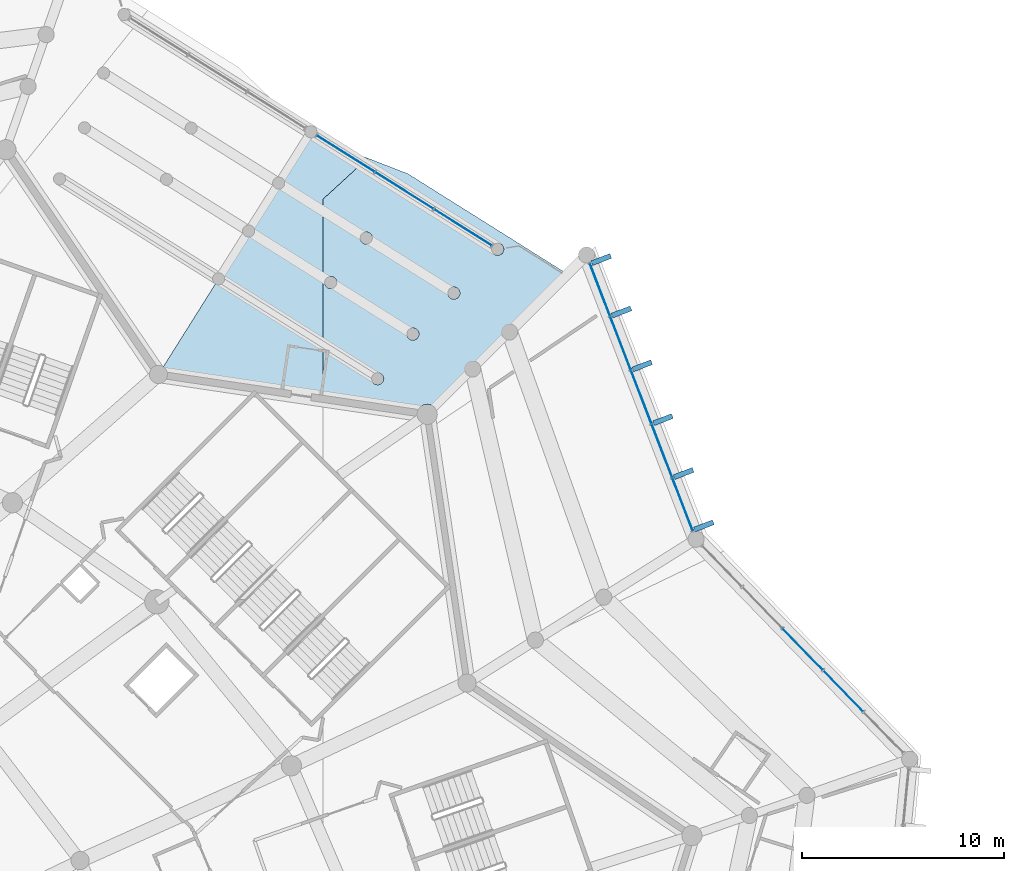
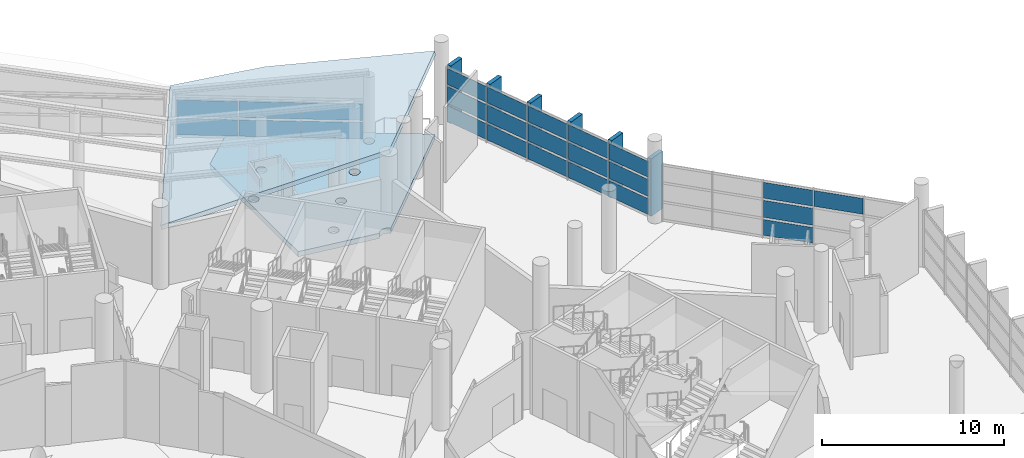
# One storey, part 156 of 271: 31 plates, 2 slabs, 3 elements without a shape of their own.
"""IFC4 building model written with IfcOpenShell, lengths in metres."""

from ifc_helpers import new_model, si_unit, direction, frame, origin, origin_2d, place, context, subcontext, project, spatial, polyline, rectangle, outline, extrude, material, layer, layer_set, type_object, element, aggregate, save


model = new_model("IFC4")

# Units and contexts
model_context = context("Model", 3, precision=1e-05, world=origin(), true_north=direction((0.0, 1.0)))
body_context = subcontext(model_context, "Body", "Model", "MODEL_VIEW")
ifc_project = project(units=[si_unit("LENGTHUNIT", "METRE"), si_unit("AREAUNIT", "SQUARE_METRE"), si_unit("VOLUMEUNIT", "CUBIC_METRE"), si_unit("PLANEANGLEUNIT", "RADIAN"), si_unit("MASSUNIT", "GRAM", prefix="KILO")], contexts=[model_context])

# Site, building, storey
site_placement = place(None, origin())
site = spatial("IfcSite", under=ifc_project, at=site_placement, CompositionType="ELEMENT")
building_placement = place(site_placement, origin())
building = spatial("IfcBuilding", under=site, at=building_placement, Name="Meseta Stadium", CompositionType="ELEMENT")
storey_placement = place(building_placement, frame((0.0, 0.0, 6.5)))
storey = spatial("IfcBuildingStorey", under=building, at=storey_placement, Name="L01", CompositionType="ELEMENT", Elevation=6.5)

# Slabs
ifc_material_1 = material(Name="Concrete C40/50", Category="concrete")
ifc_layer_1 = layer(ifc_material_1, 0.35009765625)
ifc_layer_set_1 = layer_set([ifc_layer_1], Name="Floor slab 350")
slab_type_1 = type_object("IfcSlabType", Name="Floor slab 350", PredefinedType="FLOOR", material=ifc_layer_set_1)
slab_1_placement = place(storey_placement, frame((0.0, 0.0, -0.35009765625)))
element("IfcSlab", 1, at=slab_1_placement, inside=storey, type_object=slab_type_1, Name="Gate hall floor slab 2 part 2 panel 02", PredefinedType="FLOOR", context=body_context, shape_type="SweptSolid", body=[
    extrude(outline(polyline([(85.42578125, 89.610595703125), (85.5302734375, 89.5302734375), (92.12841796875, 96.12841796875), (84.220458984375, 101.09765625), (82.230224609375, 101.869873046875), (80.0, 99.828369140625), (80.0, 90.123779296875), (84.73486328125, 89.4208984375), (84.737060546875, 89.42578125), (84.817138671875, 89.5302734375), (84.921630859375, 89.610595703125), (85.043212890625, 89.660888671875), (85.173583984375, 89.677978515625), (85.30419921875, 89.660888671875), (85.42578125, 89.610595703125)]), holes=[polyline([(81.8623046875, 97.986083984375), (81.892578125, 98.05908203125), (81.940673828125, 98.12158203125), (82.003173828125, 98.169921875), (82.076171875, 98.199951171875), (82.154541015625, 98.210205078125), (82.23291015625, 98.199951171875), (82.305908203125, 98.169921875), (82.368408203125, 98.12158203125), (82.41650390625, 98.05908203125), (82.44677734375, 97.986083984375), (82.45703125, 97.90771484375), (82.44677734375, 97.829345703125), (82.41650390625, 97.75634765625), (82.368408203125, 97.69384765625), (82.305908203125, 97.645751953125), (82.23291015625, 97.615478515625), (82.154541015625, 97.60498046875), (82.076171875, 97.615478515625), (82.003173828125, 97.645751953125), (81.940673828125, 97.69384765625), (81.892578125, 97.75634765625), (81.8623046875, 97.829345703125), (81.85205078125, 97.90771484375), (81.8623046875, 97.986083984375)]), polyline([(80.180419921875, 95.9208984375), (80.242919921875, 95.968994140625), (80.31591796875, 95.999267578125), (80.394287109375, 96.009521484375), (80.47265625, 95.999267578125), (80.545654296875, 95.968994140625), (80.608154296875, 95.9208984375), (80.65625, 95.858154296875), (80.6865234375, 95.78515625), (80.697021484375, 95.706787109375), (80.6865234375, 95.628662109375), (80.65625, 95.5556640625), (80.608154296875, 95.492919921875), (80.545654296875, 95.44482421875), (80.47265625, 95.41455078125), (80.394287109375, 95.404296875), (80.31591796875, 95.41455078125), (80.242919921875, 95.44482421875), (80.180419921875, 95.492919921875), (80.132080078125, 95.5556640625), (80.10205078125, 95.628662109375), (80.091796875, 95.706787109375), (80.10205078125, 95.78515625), (80.132080078125, 95.858154296875), (80.180419921875, 95.9208984375)]), polyline([(82.505615234375, 90.72509765625), (82.45751953125, 90.78759765625), (82.42724609375, 90.860595703125), (82.4169921875, 90.93896484375), (82.42724609375, 91.017333984375), (82.45751953125, 91.09033203125), (82.505615234375, 91.153076171875), (82.568115234375, 91.201171875), (82.64111328125, 91.231201171875), (82.719482421875, 91.24169921875), (82.7978515625, 91.231201171875), (82.870849609375, 91.201171875), (82.933349609375, 91.153076171875), (82.9814453125, 91.09033203125), (83.01171875, 91.017333984375), (83.022216796875, 90.93896484375), (83.01171875, 90.860595703125), (82.9814453125, 90.78759765625), (82.933349609375, 90.72509765625), (82.870849609375, 90.677001953125), (82.7978515625, 90.646728515625), (82.719482421875, 90.636474609375), (82.64111328125, 90.646728515625), (82.568115234375, 90.677001953125), (82.505615234375, 90.72509765625)]), polyline([(84.3115234375, 92.888427734375), (84.248779296875, 92.9365234375), (84.20068359375, 92.999267578125), (84.17041015625, 93.072265625), (84.16015625, 93.150390625), (84.17041015625, 93.228759765625), (84.20068359375, 93.3017578125), (84.248779296875, 93.364501953125), (84.3115234375, 93.41259765625), (84.384521484375, 93.44287109375), (84.462646484375, 93.453125), (84.541015625, 93.44287109375), (84.614013671875, 93.41259765625), (84.6767578125, 93.364501953125), (84.724853515625, 93.3017578125), (84.7548828125, 93.228759765625), (84.765380859375, 93.150390625), (84.7548828125, 93.072265625), (84.724853515625, 92.999267578125), (84.6767578125, 92.9365234375), (84.614013671875, 92.888427734375), (84.541015625, 92.858154296875), (84.462646484375, 92.847900390625), (84.384521484375, 92.858154296875), (84.3115234375, 92.888427734375)]), polyline([(86.279541015625, 94.96728515625), (86.2314453125, 95.030029296875), (86.201416015625, 95.10302734375), (86.19091796875, 95.181396484375), (86.201416015625, 95.259521484375), (86.2314453125, 95.33251953125), (86.279541015625, 95.395263671875), (86.34228515625, 95.443359375), (86.415283203125, 95.4736328125), (86.49365234375, 95.48388671875), (86.572021484375, 95.4736328125), (86.64501953125, 95.443359375), (86.70751953125, 95.395263671875), (86.755615234375, 95.33251953125), (86.785888671875, 95.259521484375), (86.796142578125, 95.181396484375), (86.785888671875, 95.10302734375), (86.755615234375, 95.030029296875), (86.70751953125, 94.96728515625), (86.64501953125, 94.919189453125), (86.572021484375, 94.88916015625), (86.49365234375, 94.878662109375), (86.415283203125, 94.88916015625), (86.34228515625, 94.919189453125), (86.279541015625, 94.96728515625)]), polyline([(88.407470703125, 97.205810546875), (88.377197265625, 97.27880859375), (88.36669921875, 97.357177734375), (88.377197265625, 97.435546875), (88.407470703125, 97.508544921875), (88.45556640625, 97.5712890625), (88.51806640625, 97.619384765625), (88.591064453125, 97.6494140625), (88.66943359375, 97.659912109375), (88.747802734375, 97.6494140625), (88.82080078125, 97.619384765625), (88.88330078125, 97.5712890625), (88.931396484375, 97.508544921875), (88.961669921875, 97.435546875), (88.971923828125, 97.357177734375), (88.961669921875, 97.27880859375), (88.931396484375, 97.205810546875), (88.88330078125, 97.143310546875), (88.82080078125, 97.09521484375), (88.747802734375, 97.06494140625), (88.66943359375, 97.0546875), (88.591064453125, 97.06494140625), (88.51806640625, 97.09521484375), (88.45556640625, 97.143310546875), (88.407470703125, 97.205810546875)])]), origin(), (0.0, 0.0, 1.0), 0.35009765625),
])
ifc_material_2 = material(Name="Concrete C40/50", Category="concrete")
ifc_layer_2 = layer(ifc_material_2, 0.300048828125)
ifc_layer_set_2 = layer_set([ifc_layer_2], Name="Gate roof plate 300")
slab_type_2 = type_object("IfcSlabType", Name="Gate roof plate 300", PredefinedType="ROOF", material=ifc_layer_set_2)
slab_2_placement = place(storey_placement, frame((79.30517578125, 103.0048828125, 3.566650390625), z_axis=(-0.106827842606, 0.090517582517, 0.990148665252), x_axis=(-0.531930741371, -0.846551648501, 0.019999820104)))
element("IfcSlab", 2, at=slab_2_placement, inside=storey, type_object=slab_type_2, Name="Gate 2 butterfly roof wing", PredefinedType="ROOF", context=body_context, shape_type="SweptSolid", body=[
    extrude(outline(polyline([(0.0, 0.0), (13.806297728618766, 6.800116025829084e-16), (8.406571376629177, 12.498249387960426), (-0.9595502955989375, 14.65774707481892), (-0.9859327776136914, 5.227036017428571), (0.0, 0.0)])), origin(), (0.0, 0.0, -1.0), 0.300048828125),
])

# Curtain wall, plates
ifc_material_3 = material(Name="Aluminium", Category="aluminium")
ifc_layer_3 = layer(ifc_material_3, 0.199951171875)
ifc_layer_set_3 = layer_set([ifc_layer_3], Name="Ring shopfront curtain wall")
curtain_wall_type_1 = type_object("IfcCurtainWallType", Name="Ring shopfront curtain wall", PredefinedType="NOTDEFINED", material=ifc_layer_set_3)
curtain_wall_1_placement = place(storey_placement, origin())
curtain_wall_1 = element("IfcCurtainWall", 3, at=curtain_wall_1_placement, inside=storey, type_object=curtain_wall_type_1, Name="Ring glazing L01 F10", PredefinedType="NOTDEFINED")
ifc_material_4 = material(Name="Glass", Category="glass")
ifc_layer_4 = layer(ifc_material_4, 0.035888671875)
ifc_layer_set_4 = layer_set([ifc_layer_4], Name="Ring CW glass panel 36")
plate_type_1 = type_object("IfcPlateType", Name="Ring CW glass panel 36", PredefinedType="CURTAIN_PANEL", material=ifc_layer_set_4)
plate_1_placement = place(storey_placement, frame((105.79833984375, 75.463134765625, 2.6416015625), z_axis=(0.0, 0.0, 1.0), x_axis=(-0.6964727488, 0.717583242683, 0.0)))
plate_1 = element("IfcPlate", 4, at=plate_1_placement, type_object=plate_type_1, Name="CWR1 panel 2.3", PredefinedType="CURTAIN_PANEL", context=body_context, shape_type="SweptSolid", body=[
    extrude(rectangle(XDim=2.821044921875, YDim=0.035888671875, at=origin_2d()), origin(), (0.0, 0.0, 1.0), 1.058349609375),
])
plate_2_placement = place(storey_placement, frame((103.7919921875, 77.530517578125, 0.14990234375), z_axis=(0.0, 0.0, 1.0), x_axis=(-0.6964727488, 0.717583242683, 0.0)))
plate_2 = element("IfcPlate", 5, at=plate_2_placement, type_object=plate_type_1, Name="CWR1 panel 3.1", PredefinedType="CURTAIN_PANEL", context=body_context, shape_type="SweptSolid", body=[
    extrude(rectangle(XDim=2.821044921875, YDim=0.035888671875, at=origin_2d()), origin(), (0.0, 0.0, 1.0), 1.058349609375),
])
plate_3_placement = place(storey_placement, frame((103.7919921875, 77.530517578125, 1.3583984375), z_axis=(0.0, 0.0, 1.0), x_axis=(-0.6964727488, 0.717583242683, 0.0)))
plate_3 = element("IfcPlate", 6, at=plate_3_placement, type_object=plate_type_1, Name="CWR1 panel 3.2", PredefinedType="CURTAIN_PANEL", context=body_context, shape_type="SweptSolid", body=[
    extrude(rectangle(XDim=2.821044921875, YDim=0.035888671875, at=origin_2d()), origin(), (0.0, 0.0, 1.0), 1.13330078125),
])
plate_4_placement = place(storey_placement, frame((103.7919921875, 77.530517578125, 2.6416015625), z_axis=(0.0, 0.0, 1.0), x_axis=(-0.6964727488, 0.717583242683, 0.0)))
plate_4 = element("IfcPlate", 7, at=plate_4_placement, type_object=plate_type_1, Name="CWR1 panel 3.3", PredefinedType="CURTAIN_PANEL", context=body_context, shape_type="SweptSolid", body=[
    extrude(rectangle(XDim=2.821044921875, YDim=0.035888671875, at=origin_2d()), origin(), (0.0, 0.0, 1.0), 1.058349609375),
])
aggregate(curtain_wall_1, [plate_1, plate_2, plate_3, plate_4])

curtain_wall_2_placement = place(storey_placement, origin())
curtain_wall_2 = element("IfcCurtainWall", 8, at=curtain_wall_2_placement, inside=storey, type_object=curtain_wall_type_1, Name="Ring glazing L01 F11", PredefinedType="NOTDEFINED")
plate_5_placement = place(storey_placement, frame((97.834228515625, 84.707275390625, 0.14990234375), z_axis=(0.0, 0.0, 1.0), x_axis=(-0.359302033734, 0.933221328815, 0.0)))
plate_5 = element("IfcPlate", 9, at=plate_5_placement, type_object=plate_type_1, Name="CWR1 panel 1.1", PredefinedType="CURTAIN_PANEL", context=body_context, shape_type="SweptSolid", body=[
    extrude(rectangle(XDim=2.76904296875, YDim=0.035888671875, at=origin_2d()), origin(), (0.0, 0.0, 1.0), 1.058349609375),
])
plate_6_placement = place(storey_placement, frame((97.834228515625, 84.707275390625, 1.3583984375), z_axis=(0.0, 0.0, 1.0), x_axis=(-0.359302033734, 0.933221328815, 0.0)))
plate_6 = element("IfcPlate", 10, at=plate_6_placement, type_object=plate_type_1, Name="CWR1 panel 1.2", PredefinedType="CURTAIN_PANEL", context=body_context, shape_type="SweptSolid", body=[
    extrude(rectangle(XDim=2.76904296875, YDim=0.035888671875, at=origin_2d()), origin(), (0.0, 0.0, 1.0), 1.13330078125),
])
plate_7_placement = place(storey_placement, frame((97.834228515625, 84.707275390625, 2.6416015625), z_axis=(0.0, 0.0, 1.0), x_axis=(-0.359302033734, 0.933221328815, 0.0)))
plate_7 = element("IfcPlate", 11, at=plate_7_placement, type_object=plate_type_1, Name="CWR1 panel 1.3", PredefinedType="CURTAIN_PANEL", context=body_context, shape_type="SweptSolid", body=[
    extrude(rectangle(XDim=2.76904296875, YDim=0.035888671875, at=origin_2d()), origin(), (0.0, 0.0, 1.0), 1.058349609375),
])
plate_8_placement = place(storey_placement, frame((96.812255859375, 87.361572265625, 0.14990234375), z_axis=(0.0, 0.0, 1.0), x_axis=(-0.359302033734, 0.933221328815, 0.0)))
plate_8 = element("IfcPlate", 12, at=plate_8_placement, type_object=plate_type_1, Name="CWR1 panel 2.1", PredefinedType="CURTAIN_PANEL", context=body_context, shape_type="SweptSolid", body=[
    extrude(rectangle(XDim=2.799072265625, YDim=0.035888671875, at=origin_2d()), origin(), (0.0, 0.0, 1.0), 1.058349609375),
])
plate_9_placement = place(storey_placement, frame((96.812255859375, 87.361572265625, 1.3583984375), z_axis=(0.0, 0.0, 1.0), x_axis=(-0.359302033734, 0.933221328815, 0.0)))
plate_9 = element("IfcPlate", 13, at=plate_9_placement, type_object=plate_type_1, Name="CWR1 panel 2.2", PredefinedType="CURTAIN_PANEL", context=body_context, shape_type="SweptSolid", body=[
    extrude(rectangle(XDim=2.799072265625, YDim=0.035888671875, at=origin_2d()), origin(), (0.0, 0.0, 1.0), 1.13330078125),
])
plate_10_placement = place(storey_placement, frame((96.812255859375, 87.361572265625, 2.6416015625), z_axis=(0.0, 0.0, 1.0), x_axis=(-0.359302033734, 0.933221328815, 0.0)))
plate_10 = element("IfcPlate", 14, at=plate_10_placement, type_object=plate_type_1, Name="CWR1 panel 2.3", PredefinedType="CURTAIN_PANEL", context=body_context, shape_type="SweptSolid", body=[
    extrude(rectangle(XDim=2.799072265625, YDim=0.035888671875, at=origin_2d()), origin(), (0.0, 0.0, 1.0), 1.058349609375),
])
plate_11_placement = place(storey_placement, frame((95.78515625, 90.029541015625, 0.14990234375), z_axis=(0.0, 0.0, 1.0), x_axis=(-0.359302033734, 0.933221328815, 0.0)))
plate_11 = element("IfcPlate", 15, at=plate_11_placement, type_object=plate_type_1, Name="CWR1 panel 3.1", PredefinedType="CURTAIN_PANEL", context=body_context, shape_type="SweptSolid", body=[
    extrude(rectangle(XDim=2.799072265625, YDim=0.035888671875, at=origin_2d()), origin(), (0.0, 0.0, 1.0), 1.058349609375),
])
plate_12_placement = place(storey_placement, frame((95.78515625, 90.029541015625, 1.3583984375), z_axis=(0.0, 0.0, 1.0), x_axis=(-0.359302033734, 0.933221328815, 0.0)))
plate_12 = element("IfcPlate", 16, at=plate_12_placement, type_object=plate_type_1, Name="CWR1 panel 3.2", PredefinedType="CURTAIN_PANEL", context=body_context, shape_type="SweptSolid", body=[
    extrude(rectangle(XDim=2.799072265625, YDim=0.035888671875, at=origin_2d()), origin(), (0.0, 0.0, 1.0), 1.13330078125),
])
plate_13_placement = place(storey_placement, frame((95.78515625, 90.029541015625, 2.6416015625), z_axis=(0.0, 0.0, 1.0), x_axis=(-0.359302033734, 0.933221328815, 0.0)))
plate_13 = element("IfcPlate", 17, at=plate_13_placement, type_object=plate_type_1, Name="CWR1 panel 3.3", PredefinedType="CURTAIN_PANEL", context=body_context, shape_type="SweptSolid", body=[
    extrude(rectangle(XDim=2.799072265625, YDim=0.035888671875, at=origin_2d()), origin(), (0.0, 0.0, 1.0), 1.058349609375),
])
plate_14_placement = place(storey_placement, frame((94.7578125, 92.69775390625, 0.14990234375), z_axis=(0.0, 0.0, 1.0), x_axis=(-0.359302033734, 0.933221328815, 0.0)))
plate_14 = element("IfcPlate", 18, at=plate_14_placement, type_object=plate_type_1, Name="CWR1 panel 4.1", PredefinedType="CURTAIN_PANEL", context=body_context, shape_type="SweptSolid", body=[
    extrude(rectangle(XDim=2.799072265625, YDim=0.035888671875, at=origin_2d()), origin(), (0.0, 0.0, 1.0), 1.058349609375),
])
plate_15_placement = place(storey_placement, frame((94.7578125, 92.69775390625, 1.3583984375), z_axis=(0.0, 0.0, 1.0), x_axis=(-0.359302033734, 0.933221328815, 0.0)))
plate_15 = element("IfcPlate", 19, at=plate_15_placement, type_object=plate_type_1, Name="CWR1 panel 4.2", PredefinedType="CURTAIN_PANEL", context=body_context, shape_type="SweptSolid", body=[
    extrude(rectangle(XDim=2.799072265625, YDim=0.035888671875, at=origin_2d()), origin(), (0.0, 0.0, 1.0), 1.13330078125),
])
plate_16_placement = place(storey_placement, frame((94.7578125, 92.69775390625, 2.6416015625), z_axis=(0.0, 0.0, 1.0), x_axis=(-0.359302033734, 0.933221328815, 0.0)))
plate_16 = element("IfcPlate", 20, at=plate_16_placement, type_object=plate_type_1, Name="CWR1 panel 4.3", PredefinedType="CURTAIN_PANEL", context=body_context, shape_type="SweptSolid", body=[
    extrude(rectangle(XDim=2.799072265625, YDim=0.035888671875, at=origin_2d()), origin(), (0.0, 0.0, 1.0), 1.058349609375),
])
plate_17_placement = place(storey_placement, frame((93.73583984375, 95.351806640625, 0.14990234375), z_axis=(0.0, 0.0, 1.0), x_axis=(-0.359302033734, 0.933221328815, 0.0)))
plate_17 = element("IfcPlate", 21, at=plate_17_placement, type_object=plate_type_1, Name="CWR1 panel 5.1", PredefinedType="CURTAIN_PANEL", context=body_context, shape_type="SweptSolid", body=[
    extrude(rectangle(XDim=2.76904296875, YDim=0.035888671875, at=origin_2d()), origin(), (0.0, 0.0, 1.0), 1.058349609375),
])
plate_18_placement = place(storey_placement, frame((93.73583984375, 95.351806640625, 1.3583984375), z_axis=(0.0, 0.0, 1.0), x_axis=(-0.359302033734, 0.933221328815, 0.0)))
plate_18 = element("IfcPlate", 22, at=plate_18_placement, type_object=plate_type_1, Name="CWR1 panel 5.2", PredefinedType="CURTAIN_PANEL", context=body_context, shape_type="SweptSolid", body=[
    extrude(rectangle(XDim=2.76904296875, YDim=0.035888671875, at=origin_2d()), origin(), (0.0, 0.0, 1.0), 1.13330078125),
])
plate_19_placement = place(storey_placement, frame((93.73583984375, 95.351806640625, 2.6416015625), z_axis=(0.0, 0.0, 1.0), x_axis=(-0.359302033734, 0.933221328815, 0.0)))
plate_19 = element("IfcPlate", 23, at=plate_19_placement, type_object=plate_type_1, Name="CWR1 panel 5.3", PredefinedType="CURTAIN_PANEL", context=body_context, shape_type="SweptSolid", body=[
    extrude(rectangle(XDim=2.76904296875, YDim=0.035888671875, at=origin_2d()), origin(), (0.0, 0.0, 1.0), 1.058349609375),
])
aggregate(curtain_wall_2, [plate_5, plate_6, plate_7, plate_8, plate_9, plate_10, plate_11, plate_12, plate_13, plate_14, plate_15, plate_16, plate_17, plate_18, plate_19])

ifc_material_5 = material(Name="Aluminium", Category="aluminium")
ifc_layer_5 = layer(ifc_material_5, 0.199951171875)
ifc_layer_set_5 = layer_set([ifc_layer_5], Name="Gate hall curtain wall")
curtain_wall_type_2 = type_object("IfcCurtainWallType", Name="Gate hall curtain wall", PredefinedType="NOTDEFINED", material=ifc_layer_set_5)
curtain_wall_3_placement = place(storey_placement, origin())
curtain_wall_3 = element("IfcCurtainWall", 24, at=curtain_wall_3_placement, inside=storey, type_object=curtain_wall_type_2, Name="Gate 2 hall glazing", PredefinedType="NOTDEFINED")
plate_20_placement = place(storey_placement, frame((81.13671875, 102.09033203125, 0.14990234375), z_axis=(0.0, 0.0, 1.0), x_axis=(0.846722618024, -0.532034592979, 0.0)))
plate_20 = element("IfcPlate", 25, at=plate_20_placement, type_object=plate_type_1, Name="CWG1 panel 1.1", PredefinedType="CURTAIN_PANEL", context=body_context, shape_type="SweptSolid", body=[
    extrude(rectangle(XDim=3.3544921875, YDim=0.035888671875, at=origin_2d()), origin(), (0.0, 0.0, 1.0), 1.08740234375),
])
plate_21_placement = place(storey_placement, frame((81.13671875, 102.09033203125, 1.38720703125), z_axis=(0.0, 0.0, 1.0), x_axis=(0.846722618024, -0.532034592979, 0.0)))
plate_21 = element("IfcPlate", 26, at=plate_21_placement, type_object=plate_type_1, Name="CWG1 panel 1.2", PredefinedType="CURTAIN_PANEL", context=body_context, shape_type="SweptSolid", body=[
    extrude(rectangle(XDim=3.3544921875, YDim=0.035888671875, at=origin_2d()), origin(), (0.0, 0.0, 1.0), 1.08740234375),
])
plate_22_placement = place(storey_placement, frame((84.04052734375, 100.265869140625, 0.14990234375), z_axis=(0.0, 0.0, 1.0), x_axis=(0.846722618024, -0.532034592979, 0.0)))
plate_22 = element("IfcPlate", 27, at=plate_22_placement, type_object=plate_type_1, Name="CWG1 panel 2.1", PredefinedType="CURTAIN_PANEL", context=body_context, shape_type="SweptSolid", body=[
    extrude(rectangle(XDim=3.384521484375, YDim=0.035888671875, at=origin_2d()), origin(), (0.0, 0.0, 1.0), 1.08740234375),
])
plate_23_placement = place(storey_placement, frame((84.04052734375, 100.265869140625, 1.38720703125), z_axis=(0.0, 0.0, 1.0), x_axis=(0.846722618024, -0.532034592979, 0.0)))
plate_23 = element("IfcPlate", 28, at=plate_23_placement, type_object=plate_type_1, Name="CWG1 panel 2.2", PredefinedType="CURTAIN_PANEL", context=body_context, shape_type="SweptSolid", body=[
    extrude(rectangle(XDim=3.384521484375, YDim=0.035888671875, at=origin_2d()), origin(), (0.0, 0.0, 1.0), 1.08740234375),
])
plate_24_placement = place(storey_placement, frame((86.9443359375, 98.441162109375, 0.14990234375), z_axis=(0.0, 0.0, 1.0), x_axis=(0.846722618024, -0.532034592979, 0.0)))
plate_24 = element("IfcPlate", 29, at=plate_24_placement, type_object=plate_type_1, Name="CWG1 panel 3.1", PredefinedType="CURTAIN_PANEL", context=body_context, shape_type="SweptSolid", body=[
    extrude(rectangle(XDim=3.3544921875, YDim=0.035888671875, at=origin_2d()), origin(), (0.0, 0.0, 1.0), 1.08740234375),
])
plate_25_placement = place(storey_placement, frame((86.9443359375, 98.441162109375, 1.38720703125), z_axis=(0.0, 0.0, 1.0), x_axis=(0.846722618024, -0.532034592979, 0.0)))
plate_25 = element("IfcPlate", 30, at=plate_25_placement, type_object=plate_type_1, Name="CWG1 panel 3.2", PredefinedType="CURTAIN_PANEL", context=body_context, shape_type="SweptSolid", body=[
    extrude(rectangle(XDim=3.3544921875, YDim=0.035888671875, at=origin_2d()), origin(), (0.0, 0.0, 1.0), 1.08740234375),
])
aggregate(curtain_wall_3, [plate_20, plate_21, plate_22, plate_23, plate_24, plate_25])

# Plates
ifc_material_6 = material(Name="Precast concrete C40/50", Category="concrete")
ifc_layer_6 = layer(ifc_material_6, 0.25)
ifc_layer_set_6 = layer_set([ifc_layer_6], Name="Ring brise-soleil fin 250x1000")
plate_type_2 = type_object("IfcPlateType", Name="Ring brise-soleil fin 250x1000", PredefinedType="USERDEFINED", material=ifc_layer_set_6)
for number, where, z_axis, x_axis, name in (
    (31, (98.88623046875, 83.644775390625, 0.0), (0.0, 0.0, 1.0), (-0.359298161815, 0.933222819543, 0.0), "Brise-soleil fin L01 F11.1"),
    (32, (97.885986328125, 86.242919921875, 0.0), (0.0, 0.0, 1.0), (-0.359298161815, 0.933222819543, 0.0), "Brise-soleil fin L01 F11.2"),
    (33, (96.858642578125, 88.9111328125, 0.0), (0.0, 0.0, 1.0), (-0.359298161815, 0.933222819543, 0.0), "Brise-soleil fin L01 F11.3"),
    (34, (95.831298828125, 91.5791015625, 0.0), (0.0, 0.0, 1.0), (-0.359298161815, 0.933222819543, 0.0), "Brise-soleil fin L01 F11.4"),
    (35, (94.80419921875, 94.247314453125, 0.0), (0.0, 0.0, 1.0), (-0.359298161815, 0.933222819543, 0.0), "Brise-soleil fin L01 F11.5"),
    (36, (93.8037109375, 96.845458984375, 0.0), (0.0, 0.0, 1.0), (-0.359298161815, 0.933222819543, 0.0), "Brise-soleil fin L01 F11.6"),
):
    element("IfcPlate", number, at=place(storey_placement, frame(where, z_axis=z_axis, x_axis=x_axis)), inside=storey, type_object=plate_type_2, Name=name, ObjectType="FIN", PredefinedType="USERDEFINED", context=body_context, shape_type="SweptSolid", body=[
        extrude(rectangle(XDim=0.25, YDim=1.0, at=origin_2d()), origin(), (0.0, 0.0, 1.0), 3.85009765625),
    ])

save(model, "model.ifc")
